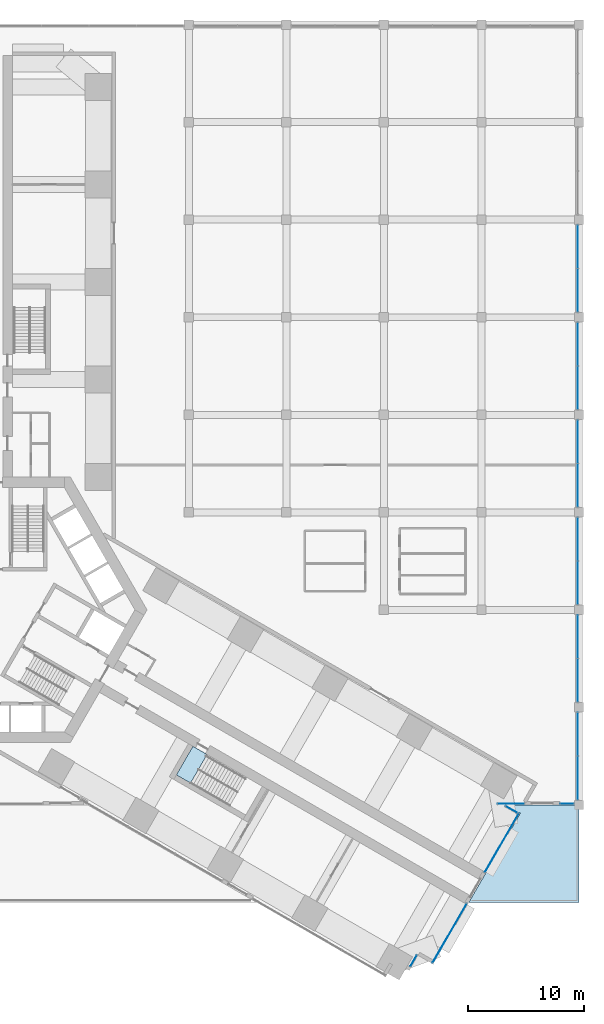
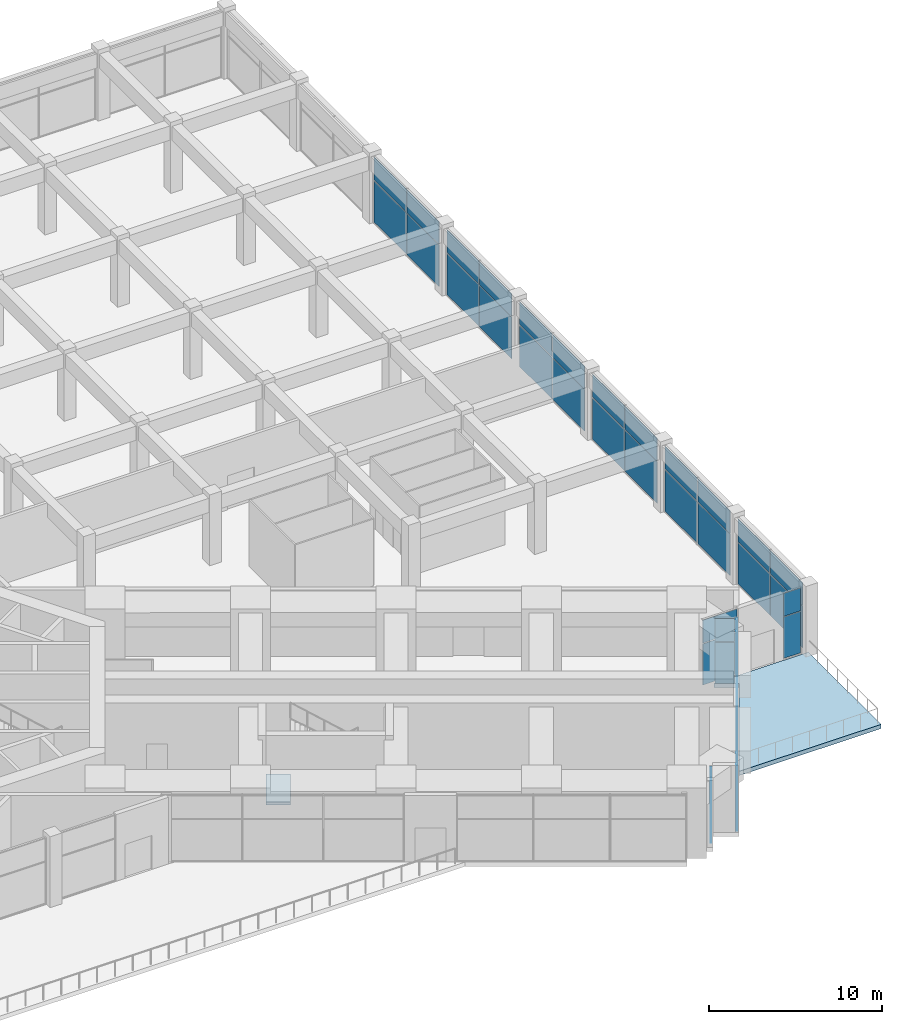
# One storey, part 25 of 34: 36 plates, 2 slabs, 13 elements without a shape of their own.
"""IFC4 building model written with IfcOpenShell, lengths in metres."""

from ifc_helpers import new_model, si_unit, direction, frame, origin, origin_2d, place, context, subcontext, project, spatial, polyline, rectangle, outline, extrude, material, layer, layer_set, type_object, element, aggregate, save


model = new_model("IFC4")

# Units and contexts
model_context = context("Model", 3, precision=1e-05, world=origin(), true_north=direction((0.0, 1.0)))
body_context = subcontext(model_context, "Body", "Model", "MODEL_VIEW")
ifc_project = project(units=[si_unit("LENGTHUNIT", "METRE"), si_unit("AREAUNIT", "SQUARE_METRE"), si_unit("VOLUMEUNIT", "CUBIC_METRE"), si_unit("PLANEANGLEUNIT", "RADIAN"), si_unit("MASSUNIT", "GRAM", prefix="KILO")], contexts=[model_context])

# Site, building, storey
site_placement = place(None, origin())
site = spatial("IfcSite", under=ifc_project, at=site_placement, CompositionType="ELEMENT")
building_placement = place(site_placement, origin())
building = spatial("IfcBuilding", under=site, at=building_placement, Name="Impinga Residences", CompositionType="ELEMENT")
storey_placement = place(building_placement, frame((0.0, 0.0, 16.0)))
storey = spatial("IfcBuildingStorey", under=building, at=storey_placement, Name="L03", CompositionType="ELEMENT", Elevation=16.0)

# Curtain wall, plates
ifc_material_1 = material(Name="Aluminium stick curtain wall", Category="aluminium")
curtain_wall_type = type_object("IfcCurtainWallType", Name="CW1 podium amenity curtain wall", PredefinedType="USERDEFINED", material=ifc_material_1)
curtain_wall_1_placement = place(storey_placement, origin())
curtain_wall_1 = element("IfcCurtainWall", 1, at=curtain_wall_1_placement, inside=storey, type_object=curtain_wall_type, Name="Curtain wall CW1 L03", ObjectType="STICK CURTAIN WALL", PredefinedType="USERDEFINED")
ifc_material_2 = material(Name="Clear double glazing", Category="glass")
ifc_layer_1 = layer(ifc_material_2, 0.028076171875)
ifc_layer_set_1 = layer_set([ifc_layer_1], Name="CW1-P clear double glazed panel 28")
plate_type = type_object("IfcPlateType", Name="CW1-P clear double glazed panel 28", PredefinedType="CURTAIN_PANEL", material=ifc_layer_set_1)
plate_1_placement = place(storey_placement, frame((50.300048828125, 31.283447265625, 0.06005859375), z_axis=(0.0, 0.0, 1.0), x_axis=(0.0, -1.0, 0.0)))
plate_1 = element("IfcPlate", 2, at=plate_1_placement, type_object=plate_type, Name="CW1 panel 1.1", PredefinedType="CURTAIN_PANEL", context=body_context, shape_type="SweptSolid", body=[
    extrude(rectangle(XDim=3.70703125, YDim=0.028076171875, at=origin_2d()), origin(), (0.0, 0.0, 1.0), 2.909912109375),
])
plate_2_placement = place(storey_placement, frame((50.300048828125, 31.283447265625, 3.02978515625), z_axis=(0.0, 0.0, 1.0), x_axis=(0.0, -1.0, 0.0)))
plate_2 = element("IfcPlate", 3, at=plate_2_placement, type_object=plate_type, Name="CW1 panel 1.2", PredefinedType="CURTAIN_PANEL", context=body_context, shape_type="SweptSolid", body=[
    extrude(rectangle(XDim=3.70703125, YDim=0.028076171875, at=origin_2d()), origin(), (0.0, 0.0, 1.0), 1.610107421875),
])
plate_3_placement = place(storey_placement, frame((50.300048828125, 27.5166015625, 0.06005859375), z_axis=(0.0, 0.0, 1.0), x_axis=(0.0, -1.0, 0.0)))
plate_3 = element("IfcPlate", 4, at=plate_3_placement, type_object=plate_type, Name="CW1 panel 2.1", PredefinedType="CURTAIN_PANEL", context=body_context, shape_type="SweptSolid", body=[
    extrude(rectangle(XDim=3.70703125, YDim=0.028076171875, at=origin_2d()), origin(), (0.0, 0.0, 1.0), 2.909912109375),
])
plate_4_placement = place(storey_placement, frame((50.300048828125, 27.5166015625, 3.02978515625), z_axis=(0.0, 0.0, 1.0), x_axis=(0.0, -1.0, 0.0)))
plate_4 = element("IfcPlate", 5, at=plate_4_placement, type_object=plate_type, Name="CW1 panel 2.2", PredefinedType="CURTAIN_PANEL", context=body_context, shape_type="SweptSolid", body=[
    extrude(rectangle(XDim=3.70703125, YDim=0.028076171875, at=origin_2d()), origin(), (0.0, 0.0, 1.0), 1.610107421875),
])
aggregate(curtain_wall_1, [plate_1, plate_2, plate_3, plate_4])

curtain_wall_2_placement = place(storey_placement, origin())
curtain_wall_2 = element("IfcCurtainWall", 6, at=curtain_wall_2_placement, inside=storey, type_object=curtain_wall_type, Name="Curtain wall CW1 L03", ObjectType="STICK CURTAIN WALL", PredefinedType="USERDEFINED")
plate_5_placement = place(storey_placement, frame((50.300048828125, 22.883544921875, 0.06005859375), z_axis=(0.0, 0.0, 1.0), x_axis=(0.0, -1.0, 0.0)))
plate_5 = element("IfcPlate", 7, at=plate_5_placement, type_object=plate_type, Name="CW1 panel 1.1", PredefinedType="CURTAIN_PANEL", context=body_context, shape_type="SweptSolid", body=[
    extrude(rectangle(XDim=3.70703125, YDim=0.028076171875, at=origin_2d()), origin(), (0.0, 0.0, 1.0), 2.909912109375),
])
plate_6_placement = place(storey_placement, frame((50.300048828125, 22.883544921875, 3.02978515625), z_axis=(0.0, 0.0, 1.0), x_axis=(0.0, -1.0, 0.0)))
plate_6 = element("IfcPlate", 8, at=plate_6_placement, type_object=plate_type, Name="CW1 panel 1.2", PredefinedType="CURTAIN_PANEL", context=body_context, shape_type="SweptSolid", body=[
    extrude(rectangle(XDim=3.70703125, YDim=0.028076171875, at=origin_2d()), origin(), (0.0, 0.0, 1.0), 1.610107421875),
])
plate_7_placement = place(storey_placement, frame((50.300048828125, 19.116455078125, 0.06005859375), z_axis=(0.0, 0.0, 1.0), x_axis=(0.0, -1.0, 0.0)))
plate_7 = element("IfcPlate", 9, at=plate_7_placement, type_object=plate_type, Name="CW1 panel 2.1", PredefinedType="CURTAIN_PANEL", context=body_context, shape_type="SweptSolid", body=[
    extrude(rectangle(XDim=3.70703125, YDim=0.028076171875, at=origin_2d()), origin(), (0.0, 0.0, 1.0), 2.909912109375),
])
plate_8_placement = place(storey_placement, frame((50.300048828125, 19.116455078125, 3.02978515625), z_axis=(0.0, 0.0, 1.0), x_axis=(0.0, -1.0, 0.0)))
plate_8 = element("IfcPlate", 10, at=plate_8_placement, type_object=plate_type, Name="CW1 panel 2.2", PredefinedType="CURTAIN_PANEL", context=body_context, shape_type="SweptSolid", body=[
    extrude(rectangle(XDim=3.70703125, YDim=0.028076171875, at=origin_2d()), origin(), (0.0, 0.0, 1.0), 1.610107421875),
])
aggregate(curtain_wall_2, [plate_5, plate_6, plate_7, plate_8])

curtain_wall_3_placement = place(storey_placement, origin())
curtain_wall_3 = element("IfcCurtainWall", 11, at=curtain_wall_3_placement, inside=storey, type_object=curtain_wall_type, Name="Curtain wall CW1 L03", ObjectType="STICK CURTAIN WALL", PredefinedType="USERDEFINED")
plate_9_placement = place(storey_placement, frame((50.300048828125, 14.4833984375, 0.06005859375), z_axis=(0.0, 0.0, 1.0), x_axis=(0.0, -1.0, 0.0)))
plate_9 = element("IfcPlate", 12, at=plate_9_placement, type_object=plate_type, Name="CW1 panel 1.1", PredefinedType="CURTAIN_PANEL", context=body_context, shape_type="SweptSolid", body=[
    extrude(rectangle(XDim=3.70703125, YDim=0.028076171875, at=origin_2d()), origin(), (0.0, 0.0, 1.0), 2.909912109375),
])
plate_10_placement = place(storey_placement, frame((50.300048828125, 14.4833984375, 3.02978515625), z_axis=(0.0, 0.0, 1.0), x_axis=(0.0, -1.0, 0.0)))
plate_10 = element("IfcPlate", 13, at=plate_10_placement, type_object=plate_type, Name="CW1 panel 1.2", PredefinedType="CURTAIN_PANEL", context=body_context, shape_type="SweptSolid", body=[
    extrude(rectangle(XDim=3.70703125, YDim=0.028076171875, at=origin_2d()), origin(), (0.0, 0.0, 1.0), 1.610107421875),
])
plate_11_placement = place(storey_placement, frame((50.300048828125, 10.716552734375, 0.06005859375), z_axis=(0.0, 0.0, 1.0), x_axis=(0.0, -1.0, 0.0)))
plate_11 = element("IfcPlate", 14, at=plate_11_placement, type_object=plate_type, Name="CW1 panel 2.1", PredefinedType="CURTAIN_PANEL", context=body_context, shape_type="SweptSolid", body=[
    extrude(rectangle(XDim=3.70703125, YDim=0.028076171875, at=origin_2d()), origin(), (0.0, 0.0, 1.0), 2.909912109375),
])
plate_12_placement = place(storey_placement, frame((50.300048828125, 10.716552734375, 3.02978515625), z_axis=(0.0, 0.0, 1.0), x_axis=(0.0, -1.0, 0.0)))
plate_12 = element("IfcPlate", 15, at=plate_12_placement, type_object=plate_type, Name="CW1 panel 2.2", PredefinedType="CURTAIN_PANEL", context=body_context, shape_type="SweptSolid", body=[
    extrude(rectangle(XDim=3.70703125, YDim=0.028076171875, at=origin_2d()), origin(), (0.0, 0.0, 1.0), 1.610107421875),
])
aggregate(curtain_wall_3, [plate_9, plate_10, plate_11, plate_12])

curtain_wall_4_placement = place(storey_placement, origin())
curtain_wall_4 = element("IfcCurtainWall", 16, at=curtain_wall_4_placement, inside=storey, type_object=curtain_wall_type, Name="Curtain wall CW1 L03", ObjectType="STICK CURTAIN WALL", PredefinedType="USERDEFINED")
plate_13_placement = place(storey_placement, frame((50.300048828125, 6.08349609375, 0.06005859375), z_axis=(0.0, 0.0, 1.0), x_axis=(0.0, -1.0, 0.0)))
plate_13 = element("IfcPlate", 17, at=plate_13_placement, type_object=plate_type, Name="CW1 panel 1.1", PredefinedType="CURTAIN_PANEL", context=body_context, shape_type="SweptSolid", body=[
    extrude(rectangle(XDim=3.70703125, YDim=0.028076171875, at=origin_2d()), origin(), (0.0, 0.0, 1.0), 2.909912109375),
])
plate_14_placement = place(storey_placement, frame((50.300048828125, 6.08349609375, 3.02978515625), z_axis=(0.0, 0.0, 1.0), x_axis=(0.0, -1.0, 0.0)))
plate_14 = element("IfcPlate", 18, at=plate_14_placement, type_object=plate_type, Name="CW1 panel 1.2", PredefinedType="CURTAIN_PANEL", context=body_context, shape_type="SweptSolid", body=[
    extrude(rectangle(XDim=3.70703125, YDim=0.028076171875, at=origin_2d()), origin(), (0.0, 0.0, 1.0), 1.610107421875),
])
plate_15_placement = place(storey_placement, frame((50.300048828125, 2.31640625, 0.06005859375), z_axis=(0.0, 0.0, 1.0), x_axis=(0.0, -1.0, 0.0)))
plate_15 = element("IfcPlate", 19, at=plate_15_placement, type_object=plate_type, Name="CW1 panel 2.1", PredefinedType="CURTAIN_PANEL", context=body_context, shape_type="SweptSolid", body=[
    extrude(rectangle(XDim=3.70703125, YDim=0.028076171875, at=origin_2d()), origin(), (0.0, 0.0, 1.0), 2.909912109375),
])
plate_16_placement = place(storey_placement, frame((50.300048828125, 2.31640625, 3.02978515625), z_axis=(0.0, 0.0, 1.0), x_axis=(0.0, -1.0, 0.0)))
plate_16 = element("IfcPlate", 20, at=plate_16_placement, type_object=plate_type, Name="CW1 panel 2.2", PredefinedType="CURTAIN_PANEL", context=body_context, shape_type="SweptSolid", body=[
    extrude(rectangle(XDim=3.70703125, YDim=0.028076171875, at=origin_2d()), origin(), (0.0, 0.0, 1.0), 1.610107421875),
])
aggregate(curtain_wall_4, [plate_13, plate_14, plate_15, plate_16])

curtain_wall_5_placement = place(storey_placement, origin())
curtain_wall_5 = element("IfcCurtainWall", 21, at=curtain_wall_5_placement, inside=storey, type_object=curtain_wall_type, Name="Curtain wall CW1 L03", ObjectType="STICK CURTAIN WALL", PredefinedType="USERDEFINED")
plate_17_placement = place(storey_placement, frame((50.300048828125, -2.31640625, 0.06005859375), z_axis=(0.0, 0.0, 1.0), x_axis=(0.0, -1.0, 0.0)))
plate_17 = element("IfcPlate", 22, at=plate_17_placement, type_object=plate_type, Name="CW1 panel 1.1", PredefinedType="CURTAIN_PANEL", context=body_context, shape_type="SweptSolid", body=[
    extrude(rectangle(XDim=3.70703125, YDim=0.028076171875, at=origin_2d()), origin(), (0.0, 0.0, 1.0), 2.909912109375),
])
plate_18_placement = place(storey_placement, frame((50.300048828125, -2.31640625, 3.02978515625), z_axis=(0.0, 0.0, 1.0), x_axis=(0.0, -1.0, 0.0)))
plate_18 = element("IfcPlate", 23, at=plate_18_placement, type_object=plate_type, Name="CW1 panel 1.2", PredefinedType="CURTAIN_PANEL", context=body_context, shape_type="SweptSolid", body=[
    extrude(rectangle(XDim=3.70703125, YDim=0.028076171875, at=origin_2d()), origin(), (0.0, 0.0, 1.0), 1.610107421875),
])
plate_19_placement = place(storey_placement, frame((50.300048828125, -6.08349609375, 0.06005859375), z_axis=(0.0, 0.0, 1.0), x_axis=(0.0, -1.0, 0.0)))
plate_19 = element("IfcPlate", 24, at=plate_19_placement, type_object=plate_type, Name="CW1 panel 2.1", PredefinedType="CURTAIN_PANEL", context=body_context, shape_type="SweptSolid", body=[
    extrude(rectangle(XDim=3.70703125, YDim=0.028076171875, at=origin_2d()), origin(), (0.0, 0.0, 1.0), 2.909912109375),
])
plate_20_placement = place(storey_placement, frame((50.300048828125, -6.08349609375, 3.02978515625), z_axis=(0.0, 0.0, 1.0), x_axis=(0.0, -1.0, 0.0)))
plate_20 = element("IfcPlate", 25, at=plate_20_placement, type_object=plate_type, Name="CW1 panel 2.2", PredefinedType="CURTAIN_PANEL", context=body_context, shape_type="SweptSolid", body=[
    extrude(rectangle(XDim=3.70703125, YDim=0.028076171875, at=origin_2d()), origin(), (0.0, 0.0, 1.0), 1.610107421875),
])
aggregate(curtain_wall_5, [plate_17, plate_18, plate_19, plate_20])

curtain_wall_6_placement = place(storey_placement, origin())
curtain_wall_6 = element("IfcCurtainWall", 26, at=curtain_wall_6_placement, inside=storey, type_object=curtain_wall_type, Name="Curtain wall CW1 L03", ObjectType="STICK CURTAIN WALL", PredefinedType="USERDEFINED")
plate_21_placement = place(storey_placement, frame((50.300048828125, -10.716552734375, 0.06005859375), z_axis=(0.0, 0.0, 1.0), x_axis=(0.0, -1.0, 0.0)))
plate_21 = element("IfcPlate", 27, at=plate_21_placement, type_object=plate_type, Name="CW1 panel 1.1", PredefinedType="CURTAIN_PANEL", context=body_context, shape_type="SweptSolid", body=[
    extrude(rectangle(XDim=3.70703125, YDim=0.028076171875, at=origin_2d()), origin(), (0.0, 0.0, 1.0), 2.909912109375),
])
plate_22_placement = place(storey_placement, frame((50.300048828125, -10.716552734375, 3.02978515625), z_axis=(0.0, 0.0, 1.0), x_axis=(0.0, -1.0, 0.0)))
plate_22 = element("IfcPlate", 28, at=plate_22_placement, type_object=plate_type, Name="CW1 panel 1.2", PredefinedType="CURTAIN_PANEL", context=body_context, shape_type="SweptSolid", body=[
    extrude(rectangle(XDim=3.70703125, YDim=0.028076171875, at=origin_2d()), origin(), (0.0, 0.0, 1.0), 1.610107421875),
])
plate_23_placement = place(storey_placement, frame((50.300048828125, -14.4833984375, 0.06005859375), z_axis=(0.0, 0.0, 1.0), x_axis=(0.0, -1.0, 0.0)))
plate_23 = element("IfcPlate", 29, at=plate_23_placement, type_object=plate_type, Name="CW1 panel 2.1", PredefinedType="CURTAIN_PANEL", context=body_context, shape_type="SweptSolid", body=[
    extrude(rectangle(XDim=3.70703125, YDim=0.028076171875, at=origin_2d()), origin(), (0.0, 0.0, 1.0), 2.909912109375),
])
plate_24_placement = place(storey_placement, frame((50.300048828125, -14.4833984375, 3.02978515625), z_axis=(0.0, 0.0, 1.0), x_axis=(0.0, -1.0, 0.0)))
plate_24 = element("IfcPlate", 30, at=plate_24_placement, type_object=plate_type, Name="CW1 panel 2.2", PredefinedType="CURTAIN_PANEL", context=body_context, shape_type="SweptSolid", body=[
    extrude(rectangle(XDim=3.70703125, YDim=0.028076171875, at=origin_2d()), origin(), (0.0, 0.0, 1.0), 1.610107421875),
])
aggregate(curtain_wall_6, [plate_21, plate_22, plate_23, plate_24])

curtain_wall_7_placement = place(storey_placement, origin())
curtain_wall_7 = element("IfcCurtainWall", 31, at=curtain_wall_7_placement, inside=storey, type_object=curtain_wall_type, Name="Curtain wall CW1 L03", ObjectType="STICK CURTAIN WALL", PredefinedType="USERDEFINED")
plate_25_placement = place(storey_placement, frame((49.373046875, -16.699951171875, 0.06005859375), z_axis=(0.0, 0.0, 1.0), x_axis=(-1.0, 0.0, 0.0)))
plate_25 = element("IfcPlate", 32, at=plate_25_placement, type_object=plate_type, Name="CW1 panel 1.1", PredefinedType="CURTAIN_PANEL", context=body_context, shape_type="SweptSolid", body=[
    extrude(rectangle(XDim=1.127685546875, YDim=0.028076171875, at=origin_2d()), origin(), (0.0, 0.0, 1.0), 2.909912109375),
])
plate_26_placement = place(storey_placement, frame((49.373046875, -16.699951171875, 3.02978515625), z_axis=(0.0, 0.0, 1.0), x_axis=(-1.0, 0.0, 0.0)))
plate_26 = element("IfcPlate", 33, at=plate_26_placement, type_object=plate_type, Name="CW1 panel 1.2", PredefinedType="CURTAIN_PANEL", context=body_context, shape_type="SweptSolid", body=[
    extrude(rectangle(XDim=1.127685546875, YDim=0.028076171875, at=origin_2d()), origin(), (0.0, 0.0, 1.0), 1.610107421875),
])
aggregate(curtain_wall_7, [plate_25, plate_26])

curtain_wall_8_placement = place(storey_placement, origin())
curtain_wall_8 = element("IfcCurtainWall", 34, at=curtain_wall_8_placement, inside=storey, type_object=curtain_wall_type, Name="Curtain wall CW1 L03", ObjectType="STICK CURTAIN WALL", PredefinedType="USERDEFINED")
plate_27_placement = place(storey_placement, frame((44.550537109375, -16.699951171875, 0.06005859375), z_axis=(0.0, 0.0, 1.0), x_axis=(-1.0, 0.0, 0.0)))
plate_27 = element("IfcPlate", 35, at=plate_27_placement, type_object=plate_type, Name="CW1 panel 1.1", PredefinedType="CURTAIN_PANEL", context=body_context, shape_type="SweptSolid", body=[
    extrude(rectangle(XDim=2.277099609375, YDim=0.028076171875, at=origin_2d()), origin(), (0.0, 0.0, 1.0), 2.909912109375),
])
plate_28_placement = place(storey_placement, frame((44.550537109375, -16.699951171875, 3.02978515625), z_axis=(0.0, 0.0, 1.0), x_axis=(-1.0, 0.0, 0.0)))
plate_28 = element("IfcPlate", 36, at=plate_28_placement, type_object=plate_type, Name="CW1 panel 1.2", PredefinedType="CURTAIN_PANEL", context=body_context, shape_type="SweptSolid", body=[
    extrude(rectangle(XDim=2.277099609375, YDim=0.028076171875, at=origin_2d()), origin(), (0.0, 0.0, 1.0), 1.610107421875),
])
aggregate(curtain_wall_8, [plate_27, plate_28])

curtain_wall_9_placement = place(storey_placement, origin())
curtain_wall_9 = element("IfcCurtainWall", 37, at=curtain_wall_9_placement, inside=storey, type_object=curtain_wall_type, Name="Curtain wall CW1 L03", ObjectType="STICK CURTAIN WALL", PredefinedType="USERDEFINED")
plate_29_placement = place(storey_placement, frame((44.5859375, -17.19677734375, 0.06005859375), z_axis=(0.0, 0.0, 1.0), x_axis=(0.86602522371, -0.500000311898, 0.0)))
plate_29 = element("IfcPlate", 38, at=plate_29_placement, type_object=plate_type, Name="CW1 panel 1.1", PredefinedType="CURTAIN_PANEL", context=body_context, shape_type="SweptSolid", body=[
    extrude(rectangle(XDim=1.12109375, YDim=0.028076171875, at=origin_2d()), origin(), (0.0, 0.0, 1.0), 2.909912109375),
])
plate_30_placement = place(storey_placement, frame((44.5859375, -17.19677734375, 3.02978515625), z_axis=(0.0, 0.0, 1.0), x_axis=(0.86602522371, -0.500000311898, 0.0)))
plate_30 = element("IfcPlate", 39, at=plate_30_placement, type_object=plate_type, Name="CW1 panel 1.2", PredefinedType="CURTAIN_PANEL", context=body_context, shape_type="SweptSolid", body=[
    extrude(rectangle(XDim=1.12109375, YDim=0.028076171875, at=origin_2d()), origin(), (0.0, 0.0, 1.0), 1.610107421875),
])
aggregate(curtain_wall_9, [plate_29, plate_30])

curtain_wall_10_placement = place(storey_placement, origin())
curtain_wall_10 = element("IfcCurtainWall", 40, at=curtain_wall_10_placement, inside=storey, type_object=curtain_wall_type, Name="Curtain wall CW1 L03", ObjectType="STICK CURTAIN WALL", PredefinedType="USERDEFINED")
plate_31_placement = place(storey_placement, frame((43.760009765625, -20.068603515625, 0.06005859375), z_axis=(0.0, 0.0, 1.0), x_axis=(-0.500000030502, -0.866025386174, 0.0)))
plate_31 = element("IfcPlate", 41, at=plate_31_placement, type_object=plate_type, Name="CW1 panel 1.1", PredefinedType="CURTAIN_PANEL", context=body_context, shape_type="SweptSolid", body=[
    extrude(rectangle(XDim=5.8798828125, YDim=0.028076171875, at=origin_2d()), origin(), (0.0, 0.0, 1.0), 2.909912109375),
])
plate_32_placement = place(storey_placement, frame((43.760009765625, -20.068603515625, 3.02978515625), z_axis=(0.0, 0.0, 1.0), x_axis=(-0.500000030502, -0.866025386174, 0.0)))
plate_32 = element("IfcPlate", 42, at=plate_32_placement, type_object=plate_type, Name="CW1 panel 1.2", PredefinedType="CURTAIN_PANEL", context=body_context, shape_type="SweptSolid", body=[
    extrude(rectangle(XDim=5.8798828125, YDim=0.028076171875, at=origin_2d()), origin(), (0.0, 0.0, 1.0), 1.610107421875),
])
aggregate(curtain_wall_10, [plate_31, plate_32])

curtain_wall_11_placement = place(storey_placement, origin())
curtain_wall_11 = element("IfcCurtainWall", 43, at=curtain_wall_11_placement, inside=storey, type_object=curtain_wall_type, Name="Curtain wall CW1 L03", ObjectType="STICK CURTAIN WALL", PredefinedType="USERDEFINED")
plate_33_placement = place(storey_placement, frame((39.260009765625, -27.86279296875, 0.06005859375), z_axis=(0.0, 0.0, 1.0), x_axis=(-0.500000030502, -0.866025386174, 0.0)))
plate_33 = element("IfcPlate", 44, at=plate_33_placement, type_object=plate_type, Name="CW1 panel 1.1", PredefinedType="CURTAIN_PANEL", context=body_context, shape_type="SweptSolid", body=[
    extrude(rectangle(XDim=5.8798828125, YDim=0.028076171875, at=origin_2d()), origin(), (0.0, 0.0, 1.0), 2.909912109375),
])
plate_34_placement = place(storey_placement, frame((39.260009765625, -27.86279296875, 3.02978515625), z_axis=(0.0, 0.0, 1.0), x_axis=(-0.500000030502, -0.866025386174, 0.0)))
plate_34 = element("IfcPlate", 45, at=plate_34_placement, type_object=plate_type, Name="CW1 panel 1.2", PredefinedType="CURTAIN_PANEL", context=body_context, shape_type="SweptSolid", body=[
    extrude(rectangle(XDim=5.8798828125, YDim=0.028076171875, at=origin_2d()), origin(), (0.0, 0.0, 1.0), 1.610107421875),
])
aggregate(curtain_wall_11, [plate_33, plate_34])

curtain_wall_12_placement = place(storey_placement, origin())
curtain_wall_12 = element("IfcCurtainWall", 46, at=curtain_wall_12_placement, inside=storey, type_object=curtain_wall_type, Name="Curtain wall CW1 L03", ObjectType="STICK CURTAIN WALL", PredefinedType="USERDEFINED")
plate_35_placement = place(storey_placement, frame((36.160888671875, -30.23046875, 0.06005859375), z_axis=(0.0, 0.0, 1.0), x_axis=(-0.499999813995, -0.866025511175, 0.0)))
plate_35 = element("IfcPlate", 47, at=plate_35_placement, type_object=plate_type, Name="CW1 panel 1.1", PredefinedType="CURTAIN_PANEL", context=body_context, shape_type="SweptSolid", body=[
    extrude(rectangle(XDim=1.080078125, YDim=0.028076171875, at=origin_2d()), origin(), (0.0, 0.0, 1.0), 2.909912109375),
])
plate_36_placement = place(storey_placement, frame((36.160888671875, -30.23046875, 3.02978515625), z_axis=(0.0, 0.0, 1.0), x_axis=(-0.499999813995, -0.866025511175, 0.0)))
plate_36 = element("IfcPlate", 48, at=plate_36_placement, type_object=plate_type, Name="CW1 panel 1.2", PredefinedType="CURTAIN_PANEL", context=body_context, shape_type="SweptSolid", body=[
    extrude(rectangle(XDim=1.080078125, YDim=0.028076171875, at=origin_2d()), origin(), (0.0, 0.0, 1.0), 1.610107421875),
])
aggregate(curtain_wall_12, [plate_35, plate_36])

# Stair, slab
ifc_material_3 = material(Name="Concrete C40/50", Category="concrete")
stair_type = type_object("IfcStairType", Name="STR wing stair 5000 storey, 30 risers", PredefinedType="HALF_TURN_STAIR", material=ifc_material_3)
stair_placement = place(storey_placement, origin())
stair = element("IfcStair", 49, at=stair_placement, inside=storey, type_object=stair_type, Name="Stair WS3 L03", PredefinedType="HALF_TURN_STAIR")
ifc_layer_2 = layer(ifc_material_3, 0.199951171875)
ifc_layer_set_2 = layer_set([ifc_layer_2], Name="Concrete C40/50")
slab_type_1 = type_object("IfcSlabType", Name="LS1 stair landing 200", PredefinedType="LANDING", material=ifc_layer_set_2)
slab_1_placement = place(storey_placement, frame((0.0, 0.0, -0.199951171875)))
slab_1 = element("IfcSlab", 50, at=slab_1_placement, type_object=slab_type_1, Name="WS3 landing 1", PredefinedType="LANDING", context=body_context, shape_type="SweptSolid", body=[
    extrude(outline(polyline([(17.154052734375, -11.75146484375), (15.72900390625, -14.219482421875), (16.9501953125, -14.924560546875), (18.375244140625, -12.456298828125), (17.154052734375, -11.75146484375)])), origin(), (0.0, 0.0, 1.0), 0.199951171875),
])
aggregate(stair, [slab_1])

# Slab
ifc_material_4 = material(Name="Concrete C60/75", Category="concrete")
ifc_layer_3 = layer(ifc_material_4, 0.300048828125)
ifc_layer_set_3 = layer_set([ifc_layer_3], Name="Concrete C60/75")
slab_type_2 = type_object("IfcSlabType", Name="TS1 podium terrace slab 300", PredefinedType="ROOF", material=ifc_layer_set_3)
slab_2_placement = place(storey_placement, frame((0.0, 0.0, -0.300048828125)))
element("IfcSlab", 51, at=slab_2_placement, inside=storey, type_object=slab_type_2, Name="Podium terrace TS1 L03", PredefinedType="ROOF", context=body_context, shape_type="SweptSolid", body=[
    extrude(outline(polyline([(50.39990234375, -25.199951171875), (40.9140625, -25.199951171875), (45.347412109375, -17.52099609375), (45.347412109375, -17.52099609375), (45.347412109375, -17.52099609375), (45.347412109375, -17.520751953125), (45.347412109375, -17.520751953125), (45.347412109375, -17.5205078125), (45.347412109375, -17.5205078125), (45.347412109375, -17.5205078125), (45.347412109375, -17.520263671875), (45.347412109375, -17.520263671875), (45.347412109375, -17.52001953125), (45.347412109375, -17.52001953125), (45.347412109375, -17.52001953125), (45.34716796875, -17.519775390625), (45.34716796875, -17.519775390625), (45.34716796875, -17.519775390625), (45.346923828125, -17.519775390625), (44.102294921875, -16.801025390625), (50.39990234375, -16.801025390625), (50.39990234375, -25.199951171875)])), origin(), (0.0, 0.0, 1.0), 0.300048828125),
])

save(model, "model.ifc")
